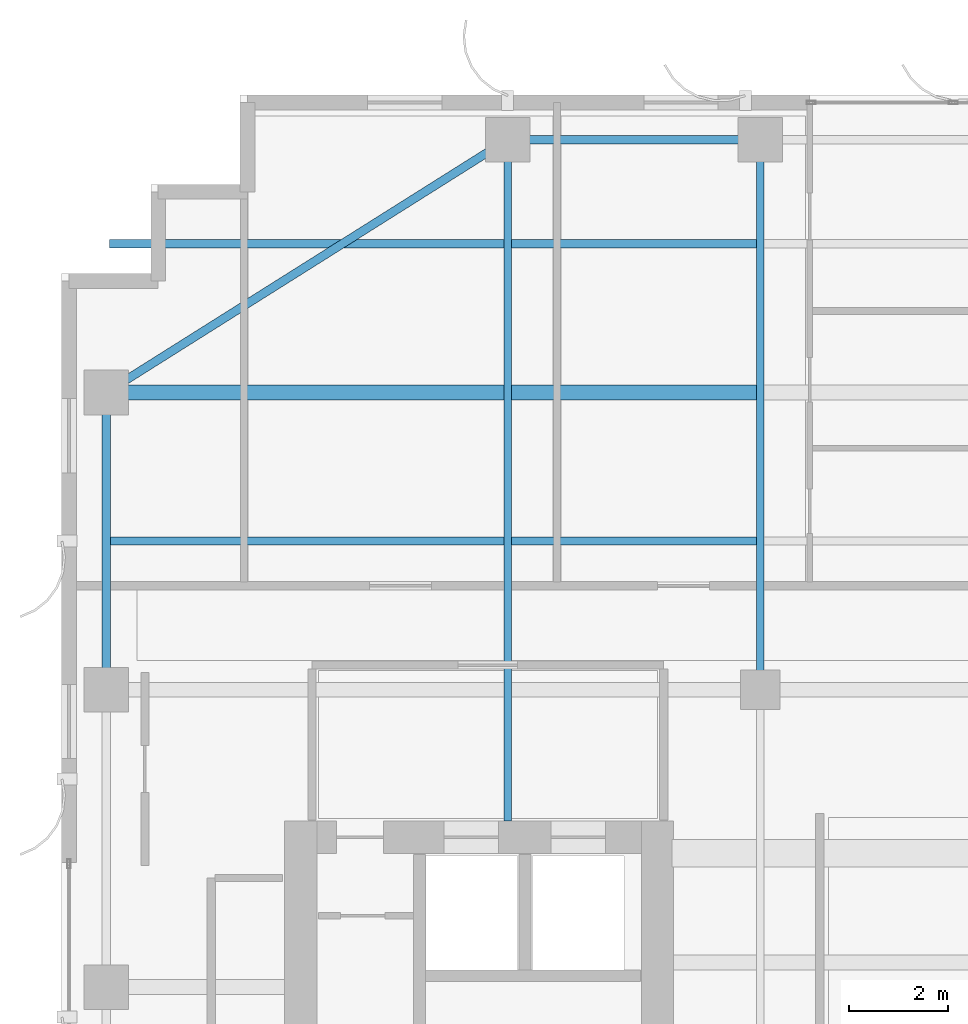
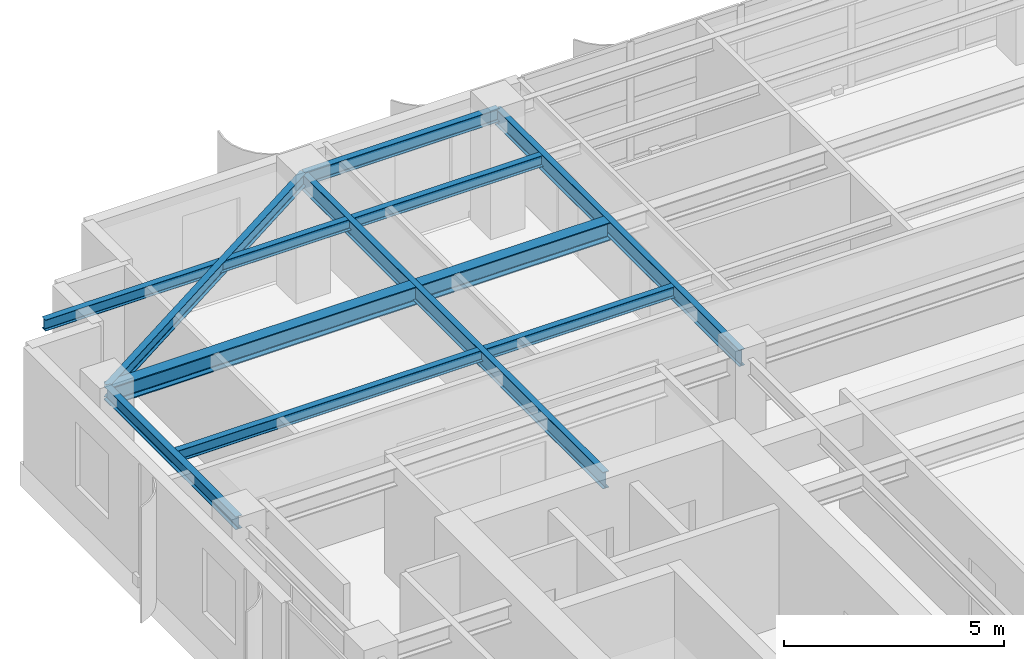
# One storey, part 13 of 25: 8 beams.
"""IFC4 building model written with IfcOpenShell, lengths in metres."""

from ifc_helpers import new_model, si_unit, direction, frame, origin, origin_2d, place, context, subcontext, project, spatial, i_section, extrude, source, transform, mapped, material, material_profile, profile_set, type_object, element, save


model = new_model("IFC4")

# Units and contexts
model_context = context("Model", 3, precision=1e-05, world=origin(), true_north=direction((0.0, 1.0)))
body_context = subcontext(model_context, "Body", "Model", "MODEL_VIEW")
ifc_project = project(units=[si_unit("LENGTHUNIT", "METRE"), si_unit("AREAUNIT", "SQUARE_METRE"), si_unit("VOLUMEUNIT", "CUBIC_METRE"), si_unit("PLANEANGLEUNIT", "RADIAN"), si_unit("MASSUNIT", "GRAM", prefix="KILO")], contexts=[model_context])

# Site, building, storey
site_placement = place(None, origin())
site = spatial("IfcSite", under=ifc_project, at=site_placement, CompositionType="ELEMENT")
building_placement = place(site_placement, origin())
building = spatial("IfcBuilding", under=site, at=building_placement, Name="Khoralis Quay Care Tower", CompositionType="ELEMENT")
storey_placement = place(building_placement, frame((0.0, 0.0, 216.89990234375)))
storey = spatial("IfcBuildingStorey", under=building, at=storey_placement, Name="L57", CompositionType="ELEMENT", Elevation=216.89990234375)

# Beams
ifc_material = material(Name="Steel S355", Category="steel")
ifc_material_profile_1 = material_profile(ifc_material, i_section(OverallWidth=0.169921875, OverallDepth=0.360107421875, WebThickness=0.008056640625, FlangeThickness=0.0126953125, FilletRadius=0.01806640625, at=origin_2d()), Name="Steel S355")
ifc_profile_set_1 = profile_set([ifc_material_profile_1], Name="Steel S355")
beam_type_1 = type_object("IfcBeamType", Name="BM-IPE360", PredefinedType="SPANDREL", material=ifc_profile_set_1)
shared_shape_1 = source(origin(), body_context, "Body", "SweptSolid", [
    extrude(i_section(OverallWidth=0.169921875, OverallDepth=0.360107421875, WebThickness=0.008056640625, FlangeThickness=0.0126953125, FilletRadius=0.01806640625, at=origin_2d()), origin(), (0.0, 0.0, 1.0), 5.10009765625),
])
beam_1_placement = place(storey_placement, frame((12.0, 41.10009765625, 3.10009765625), z_axis=(1.0, 0.0, 0.0), x_axis=(0.0, 1.0, 0.0)))
element("IfcBeam", 1, at=beam_1_placement, inside=storey, type_object=beam_type_1, Name="BM-TSP-L57-04", PredefinedType="SPANDREL", context=body_context, shape_type="MappedRepresentation", body=[
    mapped(shared_shape_1, transform((0.0, 0.0, 0.0), scale=1.0)),
])
shared_shape_2 = source(origin(), body_context, "Body", "SweptSolid", [
    extrude(i_section(OverallWidth=0.169921875, OverallDepth=0.360107421875, WebThickness=0.008056640625, FlangeThickness=0.0126953125, FilletRadius=0.01806640625, at=origin_2d()), origin(), (0.0, 0.0, 1.0), 6.0),
])
beam_2_placement = place(storey_placement, frame((3.89990234375, 30.0, 3.10009765625), z_axis=(0.0, 1.0, 0.0), x_axis=(-1.0, 0.0, 0.0)))
element("IfcBeam", 2, at=beam_2_placement, inside=storey, type_object=beam_type_1, Name="BM-TSP-L57-11", PredefinedType="SPANDREL", context=body_context, shape_type="MappedRepresentation", body=[
    mapped(shared_shape_2, transform((0.0, 0.0, 0.0), scale=1.0)),
])
shared_shape_3 = source(origin(), body_context, "Body", "SweptSolid", [
    extrude(i_section(OverallWidth=0.169921875, OverallDepth=0.360107421875, WebThickness=0.008056640625, FlangeThickness=0.0126953125, FilletRadius=0.01806640625, at=origin_2d()), origin(), (0.0, 0.0, 1.0), 9.572021484375),
])
beam_3_placement = place(storey_placement, frame((12.0, 41.10009765625, 3.10009765625), z_axis=(-0.846231136359, -0.532815975602, 0.0), x_axis=(0.532815975602, -0.846231136359, 0.0)))
element("IfcBeam", 3, at=beam_3_placement, inside=storey, type_object=beam_type_1, Name="BM-TCR-L57-19", PredefinedType="SPANDREL", context=body_context, shape_type="MappedRepresentation", body=[
    mapped(shared_shape_3, transform((0.0, 0.0, 0.0), scale=1.0)),
])
ifc_material_profile_2 = material_profile(ifc_material, i_section(OverallWidth=0.300048828125, OverallDepth=0.5, WebThickness=0.014404296875, FlangeThickness=0.028076171875, FilletRadius=0.027099609375, at=origin_2d()), Name="Steel S355")
ifc_profile_set_2 = profile_set([ifc_material_profile_2], Name="Steel S355")
beam_type_2 = type_object("IfcBeamType", Name="BM-HEB500", PredefinedType="BEAM", material=ifc_profile_set_2)
shared_shape_4 = source(origin(), body_context, "Body", "SweptSolid", [
    extrude(i_section(OverallWidth=0.300048828125, OverallDepth=0.5, WebThickness=0.014404296875, FlangeThickness=0.028076171875, FilletRadius=0.027099609375, at=origin_2d()), origin(), (0.0, 0.0, 1.0), 13.135009765625),
])
beam_4_placement = place(storey_placement, frame((3.89990234375, 36.0, 3.030029296875), z_axis=(1.0, 0.0, 0.0), x_axis=(0.0, 1.0, 0.0)))
element("IfcBeam", 4, at=beam_4_placement, inside=storey, type_object=beam_type_2, Name="BM-TGXW-L57-360", PredefinedType="BEAM", context=body_context, shape_type="MappedRepresentation", body=[
    mapped(shared_shape_4, transform((0.0, 0.0, 0.0), scale=1.0)),
])
ifc_material_profile_3 = material_profile(ifc_material, i_section(OverallWidth=0.154052734375, OverallDepth=0.458984375, WebThickness=0.009033203125, FlangeThickness=0.015380859375, FilletRadius=0.014892578125, at=origin_2d()), Name="Steel S355")
ifc_profile_set_3 = profile_set([ifc_material_profile_3], Name="Steel S355")
beam_type_3 = type_object("IfcBeamType", Name="BM-W460X68", PredefinedType="BEAM", material=ifc_profile_set_3)
shared_shape_5 = source(origin(), body_context, "Body", "SweptSolid", [
    extrude(i_section(OverallWidth=0.154052734375, OverallDepth=0.458984375, WebThickness=0.009033203125, FlangeThickness=0.015380859375, FilletRadius=0.014892578125, at=origin_2d()), origin(), (0.0, 0.0, 1.0), 11.10009765625),
])
beam_5_placement = place(storey_placement, frame((17.10009765625, 30.0, 3.050537109375), z_axis=(0.0, 1.0, 0.0), x_axis=(-1.0, 0.0, 0.0)))
element("IfcBeam", 5, at=beam_5_placement, inside=storey, type_object=beam_type_3, Name="BM-TGYN-L57-171", PredefinedType="BEAM", context=body_context, shape_type="MappedRepresentation", body=[
    mapped(shared_shape_5, transform((0.0, 0.0, 0.0), scale=1.0)),
])
shared_shape_6 = source(origin(), body_context, "Body", "SweptSolid", [
    extrude(i_section(OverallWidth=0.154052734375, OverallDepth=0.458984375, WebThickness=0.009033203125, FlangeThickness=0.015380859375, FilletRadius=0.014892578125, at=origin_2d()), origin(), (0.0, 0.0, 1.0), 13.752197265625),
])
beam_6_placement = place(storey_placement, frame((12.0, 27.347900390625, 3.050537109375), z_axis=(0.0, 1.0, 0.0), x_axis=(-1.0, 0.0, 0.0)))
element("IfcBeam", 6, at=beam_6_placement, inside=storey, type_object=beam_type_3, Name="BM-TGYN-L57-120", PredefinedType="BEAM", context=body_context, shape_type="MappedRepresentation", body=[
    mapped(shared_shape_6, transform((0.0, 0.0, 0.0), scale=1.0)),
])
ifc_material_profile_4 = material_profile(ifc_material, i_section(OverallWidth=0.1650390625, OverallDepth=0.31005859375, WebThickness=0.005859375, FlangeThickness=0.009765625, FilletRadius=0.011962890625, at=origin_2d()), Name="Steel S355")
ifc_profile_set_4 = profile_set([ifc_material_profile_4], Name="Steel S355")
beam_type_4 = type_object("IfcBeamType", Name="BM-W310X39", PredefinedType="JOIST", material=ifc_profile_set_4)
shared_shape_7 = source(origin(), body_context, "Body", "SweptSolid", [
    extrude(i_section(OverallWidth=0.1650390625, OverallDepth=0.31005859375, WebThickness=0.005859375, FlangeThickness=0.009765625, FilletRadius=0.011962890625, at=origin_2d()), origin(), (0.0, 0.0, 1.0), 13.06396484375),
])
for number, where, z_axis, x_axis, name in (
    (7, (3.970947265625, 33.0, 3.125), (1.0, 0.0, 0.0), (0.0, 1.0, 0.0), "BM-TJS-L57-24"),
    (8, (3.970947265625, 39.0, 3.125), (1.0, 0.0, 0.0), (0.0, 1.0, 0.0), "BM-TJS-L57-27"),
):
    element("IfcBeam", number, at=place(storey_placement, frame(where, z_axis=z_axis, x_axis=x_axis)), inside=storey, type_object=beam_type_4, Name=name, PredefinedType="JOIST", context=body_context, shape_type="MappedRepresentation", body=[
        mapped(shared_shape_7, transform((0.0, 0.0, 0.0), scale=1.0)),
    ])

save(model, "model.ifc")
